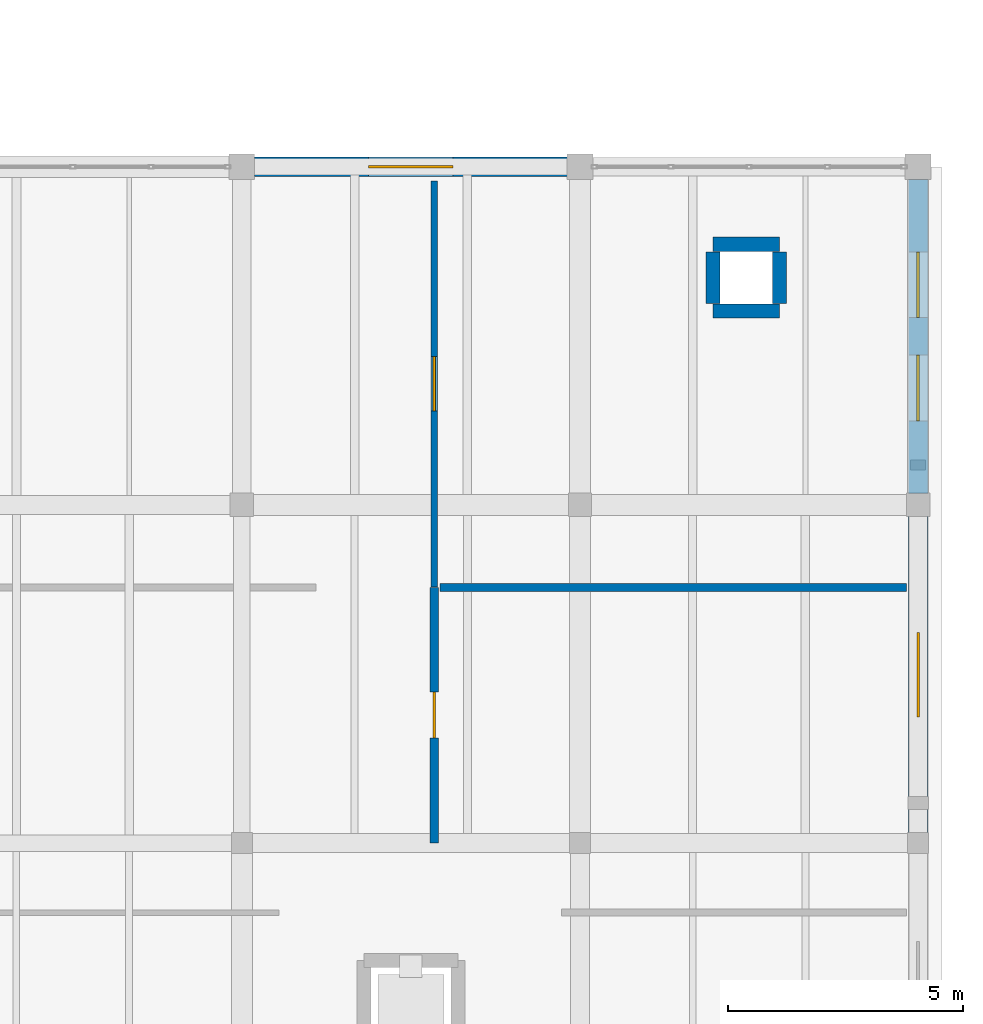
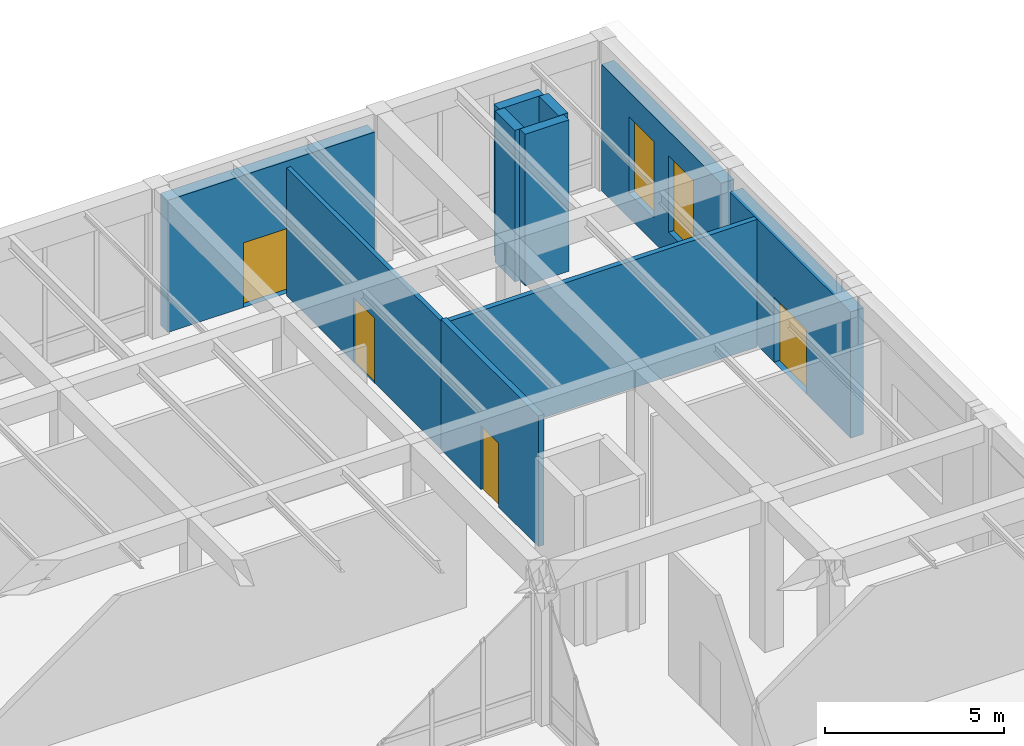
# One storey, part 133 of 169: 10 walls, 4 doors, 2 windows, 6 openings.
"""IFC4 building model written with IfcOpenShell, lengths in metres."""

import ifcopenshell
import ifcopenshell.guid

model = None  # the IFC model being written
_history = None  # IfcOwnerHistory: only IFC2X3 demands one
_inside = {}  # id of a spatial element -> (the spatial element, [elements in it])
_under = {}  # id of a project, library or spatial element -> (it, [spatial elements below it])
_declared = {}  # id of a project -> (the project, [libraries it declares])
_typed = {}  # id of a type object -> (the type object, [elements of that type])
_made_of = {}  # id of a material, layer set ... -> (it, [elements and type objects made of it])


def new_model(schema):
    """Start an empty IFC model of exactly this schema.

    Asked for "IFC4X3", IfcOpenShell would pick the latest addendum, in which some entities
    have other attributes; the version numbers below select the first issue.
    IFC2X3 requires an IfcOwnerHistory on every rooted entity: one is made here for all.
    """
    global model, _history
    if schema == "IFC4X3":
        model = ifcopenshell.file(schema_version=(4, 3, 0, 0))
    else:
        model = ifcopenshell.file(schema=schema)
    _inside.clear()
    _under.clear()
    _declared.clear()
    _typed.clear()
    _made_of.clear()
    _history = None
    if model.schema == "IFC2X3":
        org = make("IfcOrganization", Name="unknown")
        user = make(
            "IfcPersonAndOrganization",
            ThePerson=make("IfcPerson", FamilyName="unknown"),
            TheOrganization=org,
        )
        app = make(
            "IfcApplication",
            ApplicationDeveloper=org,
            Version="unknown",
            ApplicationFullName="unknown",
            ApplicationIdentifier="unknown",
        )
        _history = make(
            "IfcOwnerHistory",
            OwningUser=user,
            OwningApplication=app,
            ChangeAction="ADDED",
            CreationDate=0,
        )
    return model


def make(cls, **values):
    """One entity of the class cls with the attributes given. An attribute that is None is left unset."""
    return model.create_entity(
        cls, **{name: value for name, value in values.items() if value is not None}
    )


def rooted(cls, **values):
    """An entity with a GlobalId (a new one), such as an element, a storey or a relation."""
    return make(cls, GlobalId=ifcopenshell.guid.new(), OwnerHistory=_history, **values)


def si_unit(unit_type, name, prefix=None):
    """IfcSIUnit, for example si_unit("LENGTHUNIT", "METRE", prefix="MILLI")."""
    return make("IfcSIUnit", UnitType=unit_type, Prefix=prefix, Name=name)


def assignment(units):
    """IfcUnitAssignment: the units of a project."""
    return None if units is None else make("IfcUnitAssignment", Units=units)


def point(xyz):
    """IfcCartesianPoint."""
    return None if xyz is None else make("IfcCartesianPoint", Coordinates=xyz)


def direction(xyz):
    """IfcDirection."""
    return None if xyz is None else make("IfcDirection", DirectionRatios=xyz)


def frame(location, z_axis=None, x_axis=None):
    """IfcAxis2Placement3D, a coordinate frame: its origin and axes. An axis left out is left unset."""
    return make(
        "IfcAxis2Placement3D",
        Location=point(location),
        Axis=direction(z_axis),
        RefDirection=direction(x_axis),
    )


def frame_2d(location, x_axis=None):
    """IfcAxis2Placement2D, a coordinate frame in the plane: its origin and x axis."""
    return make(
        "IfcAxis2Placement2D", Location=point(location), RefDirection=direction(x_axis)
    )


def origin():
    """The frame at (0, 0, 0) with its axes left unset."""
    return frame((0.0, 0.0, 0.0))


def place(relative_to, where):
    """IfcLocalPlacement: puts the frame where relative to a parent placement (None: the world)."""
    return make(
        "IfcLocalPlacement", PlacementRelTo=relative_to, RelativePlacement=where
    )


def context(
    kind, dimensions, precision=None, world=None, true_north=None, identifier=None
):
    """IfcGeometricRepresentationContext, for example the 3D "Model" context."""
    return make(
        "IfcGeometricRepresentationContext",
        ContextIdentifier=identifier,
        ContextType=kind,
        CoordinateSpaceDimension=dimensions,
        Precision=precision,
        WorldCoordinateSystem=world,
        TrueNorth=true_north,
    )


def subcontext(parent, identifier, kind, view, scale=None):
    """IfcGeometricRepresentationSubContext, for example "Body" below "Model"."""
    return make(
        "IfcGeometricRepresentationSubContext",
        ContextIdentifier=identifier,
        ContextType=kind,
        ParentContext=parent,
        TargetScale=scale,
        TargetView=view,
    )


def project(units=None, contexts=None):
    """IfcProject with its units and contexts."""
    return rooted(
        "IfcProject",
        Name="project",
        RepresentationContexts=contexts,
        UnitsInContext=assignment(units),
    )


def spatial(cls, under=None, at=None, **own):
    """A site, building, storey or space (cls), placed at a placement, below another one or the project."""
    s = rooted(cls, ObjectPlacement=at, **own)
    if under is not None:
        _under.setdefault(under.id(), (under, []))[1].append(s)
    return s


def profile(cls, at=None, kind="AREA", **sizes):
    """A parametric profile (cls). Its sizes go by their IFC names, for example OverallWidth=200.0."""
    return make(cls, ProfileType=kind, Position=at, **sizes)


def rectangle(**sizes):
    """IfcRectangleProfileDef."""
    return profile("IfcRectangleProfileDef", **sizes)


def extrude(swept, where, along, depth):
    """IfcExtrudedAreaSolid: the profile swept, set in the frame where, extruded along a direction by depth."""
    return make(
        "IfcExtrudedAreaSolid",
        SweptArea=swept,
        Position=where,
        ExtrudedDirection=direction(along),
        Depth=depth,
    )


def shape(context_of_items, identifier, shape_type, items):
    """IfcShapeRepresentation: the items that make up one representation, for example the "Body"."""
    return make(
        "IfcShapeRepresentation",
        ContextOfItems=context_of_items,
        RepresentationIdentifier=identifier,
        RepresentationType=shape_type,
        Items=items,
    )


def material(Name=None, Category=None):
    """IfcMaterial."""
    return make("IfcMaterial", Name=Name, Category=Category)


def layer(
    of_material, thickness, ventilated=None, Name=None, Category=None, Priority=None
):
    """IfcMaterialLayer: one layer of a wall or slab, of a material (None: an air gap)."""
    return make(
        "IfcMaterialLayer",
        Material=of_material,
        LayerThickness=thickness,
        IsVentilated=ventilated,
        Name=Name,
        Category=Category,
        Priority=Priority,
    )


def layer_set(layers, Name=None):
    """IfcMaterialLayerSet."""
    return make("IfcMaterialLayerSet", MaterialLayers=layers, LayerSetName=Name)


def made_of(thing, what):
    """Note that an element or type object is made of a material, layer set ...; save() writes the relation."""
    if what is not None:
        _made_of.setdefault(what.id(), (what, []))[1].append(thing)
    return thing


def type_object(cls, material=None, **own):
    """A type object (cls), such as IfcWallType, which elements share."""
    return made_of(rooted(cls, **own), material)


def element(
    cls,
    number,
    at=None,
    inside=None,
    cuts=None,
    type_object=None,
    material=None,
    context=None,
    identifier="Body",
    shape_type=None,
    held_by="IfcProductDefinitionShape",
    body=None,
    shapes=None,
    **own,
):
    """One element of the class cls, such as IfcWall. Its Tag is "e" and its number.

    at: its placement. inside: the storey or other place that contains it. cuts: it is an
    opening in that element (IfcRelVoidsElement). A single representation is given by context,
    identifier, shape_type and body (its items); several are given by shapes. held_by: the class
    of the entity that holds the representations. save() writes the other relations.
    """
    e = rooted(cls, Tag="e%d" % number, ObjectPlacement=at, **own)
    if body is not None:
        shapes = [shape(context, identifier, shape_type, body)]
    if shapes is not None:
        e.Representation = make(held_by, Representations=shapes)
    if inside is not None:
        _inside.setdefault(inside.id(), (inside, []))[1].append(e)
    if cuts is not None:
        rooted(
            "IfcRelVoidsElement", RelatingBuildingElement=cuts, RelatedOpeningElement=e
        )
    if type_object is not None:
        _typed.setdefault(type_object.id(), (type_object, []))[1].append(e)
    return made_of(e, material)


def fill(opening, filler):
    """IfcRelFillsElement: the door or window that sits in an opening."""
    return rooted(
        "IfcRelFillsElement",
        RelatingOpeningElement=opening,
        RelatedBuildingElement=filler,
    )


def aggregate(whole, parts):
    """IfcRelAggregates: a whole, such as a stair, and the parts it consists of."""
    return rooted("IfcRelAggregates", RelatingObject=whole, RelatedObjects=parts)


def save(model, path):
    """Write the relations noted so far, then the file.

    IfcRelAggregates (storeys below a building ...), IfcRelContainedInSpatialStructure (elements
    in a storey), IfcRelDefinesByType, IfcRelAssociatesMaterial and IfcRelDeclares: one each for
    every whole, place, type object, material and project.
    """
    for whole, parts in _under.values():
        aggregate(whole, parts)
    for where, things in _inside.values():
        rooted(
            "IfcRelContainedInSpatialStructure",
            RelatedElements=things,
            RelatingStructure=where,
        )
    for kind, things in _typed.values():
        rooted("IfcRelDefinesByType", RelatedObjects=things, RelatingType=kind)
    for what, things in _made_of.values():
        rooted("IfcRelAssociatesMaterial", RelatedObjects=things, RelatingMaterial=what)
    for by, libraries in _declared.values():
        rooted("IfcRelDeclares", RelatingContext=by, RelatedDefinitions=libraries)
    model.write(path)


model = new_model("IFC4")

# Units and contexts
model_context = context("Model", 3, precision=1e-05, world=origin(), true_north=direction((0.0, 1.0)))
body_context = subcontext(model_context, "Body", "Model", "MODEL_VIEW")
ifc_project = project(units=[si_unit("LENGTHUNIT", "METRE"), si_unit("AREAUNIT", "SQUARE_METRE"), si_unit("VOLUMEUNIT", "CUBIC_METRE"), si_unit("PLANEANGLEUNIT", "RADIAN"), si_unit("MASSUNIT", "GRAM", prefix="KILO")], contexts=[model_context])

# Site, building, storey
site_placement = place(None, origin())
site = spatial("IfcSite", under=ifc_project, at=site_placement, CompositionType="ELEMENT")
building_placement = place(site_placement, origin())
building = spatial("IfcBuilding", under=site, at=building_placement, Name="Mazaris Harbour Polytechnic", CompositionType="ELEMENT")
storey_placement = place(building_placement, origin())
storey = spatial("IfcBuildingStorey", under=building, at=storey_placement, Name="L00", CompositionType="ELEMENT", Elevation=0.0)

# Wall, opening, door
ifc_material_1 = material(Name="Terracotta Block and Plaster", Category="masonry")
ifc_layer_1 = layer(ifc_material_1, 0.179931640625, Name="Terracotta Block and Plaster")
ifc_layer_set_1 = layer_set([ifc_layer_1], Name="Terracotta Block and Plaster")
wall_type_1 = type_object("IfcWallType", Name="Corridor Fire Partition 180", PredefinedType="PARTITIONING", material=ifc_layer_set_1)
wall_1_placement = place(storey_placement, frame((162.5, 93.60498046875, 0.0), z_axis=(0.0, 0.0, 1.0), x_axis=(0.0, 1.0, 0.0)))
wall_1 = element("IfcWall", 1, at=wall_1_placement, inside=storey, type_object=wall_type_1, Name="V5 L00 Partition 576", PredefinedType="PARTITIONING", context=body_context, shape_type="SweptSolid", body=[
    extrude(rectangle(XDim=5.43896484375, YDim=0.179931640625, at=frame_2d((2.719482421875, 0.0))), origin(), (0.0, 0.0, 1.0), 4.449951171875),
])
opening_1_placement = place(wall_1_placement, frame((2.2294921875, 0.0, 0.0)))
opening_1 = element("IfcOpeningElement", 2, at=opening_1_placement, cuts=wall_1, Name="Opening ID-08L", PredefinedType="OPENING", context=body_context, shape_type="SweptSolid", body=[
    extrude(rectangle(XDim=0.97998046875, YDim=2.179931640625, at=frame_2d((0.489990234375, 1.08984375))), frame((0.0, 0.099853515625, 0.0), z_axis=(0.0, -1.0, 0.0), x_axis=(1.0, 0.0, 0.0)), (0.0, 0.0, 1.0), 0.199951171875),
])
ifc_material_2 = material(Name="Solid Oak Timber", Category="wood")
door_type_1 = type_object("IfcDoorType", Name="Seminar Room Door LH 980x2180", OperationType="SINGLE_SWING_LEFT", PredefinedType="DOOR", material=ifc_material_2)
door_1_placement = place(opening_1_placement, origin())
door_1 = element("IfcDoor", 3, at=door_1_placement, inside=storey, type_object=door_type_1, Name="ID-0277", OperationType="SINGLE_SWING_LEFT", OverallHeight=2.179931640625, OverallWidth=0.97998046875, PredefinedType="DOOR", context=body_context, shape_type="SweptSolid", body=[
    extrude(rectangle(XDim=0.97998046875, YDim=2.179931640625, at=frame_2d((0.489990234375, 1.08984375))), frame((0.0, 0.02490234375, 0.0), z_axis=(0.0, -1.0, 0.0), x_axis=(1.0, 0.0, 0.0)), (0.0, 0.0, 1.0), 0.050048828125),
])
fill(opening_1, door_1)

# Wall
ifc_material_3 = material(Name="Fireboard and Mineral Wool")
ifc_layer_2 = layer(ifc_material_3, 0.1650390625, Name="Fireboard and Mineral Wool")
ifc_layer_set_2 = layer_set([ifc_layer_2], Name="Fireboard and Mineral Wool")
wall_type_2 = type_object("IfcWallType", Name="Laboratory Rated Partition 165", PredefinedType="PARTITIONING", material=ifc_layer_set_2)
wall_2_placement = place(storey_placement, frame((162.6201171875, 99.0439453125, 0.0), z_axis=(0.0, 0.0, 1.0), x_axis=(1.0, 0.0, 0.0)))
element("IfcWall", 4, at=wall_2_placement, inside=storey, type_object=wall_type_2, Name="V5 L00 Partition 577", PredefinedType="PARTITIONING", context=body_context, shape_type="SweptSolid", body=[
    extrude(rectangle(XDim=9.929931640625, YDim=0.1650390625, at=frame_2d((4.96484375, 0.0))), origin(), (0.0, 0.0, 1.0), 4.35009765625),
])

# Wall, opening, door
ifc_material_4 = material(Name="Algerian Buff Limestone and Concrete C35/45", Category="masonry")
ifc_layer_3 = layer(ifc_material_4, 0.409912109375, Name="Algerian Buff Limestone and Concrete C35/45")
ifc_layer_set_3 = layer_set([ifc_layer_3], Name="Algerian Buff Limestone and Concrete C35/45")
wall_type_3 = type_object("IfcWallType", Name="Limestone Rusticated Base Wall 410", PredefinedType="STANDARD", material=ifc_layer_set_3)
wall_3_placement = place(storey_placement, frame((158.6669921875, 108.0, 0.0), z_axis=(0.0, 0.0, 1.0), x_axis=(1.0, 0.0, 0.0)))
wall_3 = element("IfcWall", 5, at=wall_3_placement, inside=storey, type_object=wall_type_3, Name="V5 L00 Exterior Wall 297", PredefinedType="STANDARD", context=body_context, shape_type="SweptSolid", body=[
    extrude(rectangle(XDim=6.666015625, YDim=0.409912109375, at=frame_2d((3.3330078125, 0.0))), origin(), (0.0, 0.0, 1.0), 4.5),
])
opening_2_placement = place(wall_3_placement, frame((2.43310546875, 0.0, 0.0)))
opening_2 = element("IfcOpeningElement", 6, at=opening_2_placement, cuts=wall_3, Name="Opening ED-03", PredefinedType="OPENING", context=body_context, shape_type="SweptSolid", body=[
    extrude(rectangle(XDim=1.800048828125, YDim=2.199951171875, at=frame_2d((0.89990234375, 1.10009765625))), frame((0.0, 0.21484375, 0.0), z_axis=(0.0, -1.0, 0.0), x_axis=(1.0, 0.0, 0.0)), (0.0, 0.0, 1.0), 0.429931640625),
])
ifc_material_5 = material(Name="Anodised Bronze Steel and Laminated Safety Glass", Category="steel")
door_type_2 = type_object("IfcDoorType", Name="Perimeter Final Exit Door 1800x2200", OperationType="DOUBLE_DOOR_SINGLE_SWING", PredefinedType="DOOR", material=ifc_material_5)
door_2_placement = place(opening_2_placement, origin())
door_2 = element("IfcDoor", 7, at=door_2_placement, inside=storey, type_object=door_type_2, Name="EXD-031", OperationType="DOUBLE_DOOR_SINGLE_SWING", OverallHeight=2.199951171875, OverallWidth=1.800048828125, PredefinedType="DOOR", context=body_context, shape_type="SweptSolid", body=[
    extrude(rectangle(XDim=1.800048828125, YDim=2.199951171875, at=frame_2d((0.89990234375, 1.10009765625))), frame((0.0, 0.02490234375, 0.0), z_axis=(0.0, -1.0, 0.0), x_axis=(1.0, 0.0, 0.0)), (0.0, 0.0, 1.0), 0.050048828125),
])
fill(opening_2, door_2)

wall_4_placement = place(storey_placement, frame((172.800048828125, 100.55810546875, 0.0), z_axis=(0.0, 0.0, 1.0), x_axis=(0.0, -1.0, 0.0)))
wall_4 = element("IfcWall", 8, at=wall_4_placement, inside=storey, type_object=wall_type_3, Name="V5 L00 Exterior Wall 309", PredefinedType="STANDARD", context=body_context, shape_type="SweptSolid", body=[
    extrude(rectangle(XDim=6.7412109375, YDim=0.409912109375, at=frame_2d((3.37060546875, 0.0))), origin(), (0.0, 0.0, 1.0), 4.300048828125),
])
opening_3_placement = place(wall_4_placement, frame((2.470458984375, 0.0, 0.0)))
opening_3 = element("IfcOpeningElement", 9, at=opening_3_placement, cuts=wall_4, Name="Opening ED-03", PredefinedType="OPENING", context=body_context, shape_type="SweptSolid", body=[
    extrude(rectangle(XDim=1.800048828125, YDim=2.199951171875, at=frame_2d((0.89990234375, 1.10009765625))), frame((0.0, 0.21484375, 0.0), z_axis=(0.0, -1.0, 0.0), x_axis=(1.0, 0.0, 0.0)), (0.0, 0.0, 1.0), 0.429931640625),
])
door_3_placement = place(opening_3_placement, origin())
door_3 = element("IfcDoor", 10, at=door_3_placement, inside=storey, type_object=door_type_2, Name="EXD-035", OperationType="DOUBLE_DOOR_SINGLE_SWING", OverallHeight=2.199951171875, OverallWidth=1.800048828125, PredefinedType="DOOR", context=body_context, shape_type="SweptSolid", body=[
    extrude(rectangle(XDim=1.800048828125, YDim=2.199951171875, at=frame_2d((0.89990234375, 1.10009765625))), frame((0.0, 0.02490234375, 0.0), z_axis=(0.0, -1.0, 0.0), x_axis=(1.0, 0.0, 0.0)), (0.0, 0.0, 1.0), 0.050048828125),
])
fill(opening_3, door_3)

# Wall, openings, windows
wall_5_placement = place(storey_placement, frame((172.800048828125, 107.73291015625, 0.0), z_axis=(0.0, 0.0, 1.0), x_axis=(0.0, -1.0, 0.0)))
wall_5 = element("IfcWall", 11, at=wall_5_placement, inside=storey, type_object=wall_type_3, Name="V5 L00 Exterior Wall 310", PredefinedType="STANDARD", context=body_context, shape_type="SweptSolid", body=[
    extrude(rectangle(XDim=6.69091796875, YDim=0.409912109375, at=frame_2d((3.345458984375, 0.0))), origin(), (0.0, 0.0, 1.0), 4.300048828125),
])
opening_4_placement = place(wall_5_placement, frame((1.54541015625, 0.0, 0.85009765625)))
opening_4 = element("IfcOpeningElement", 12, at=opening_4_placement, cuts=wall_5, Name="Opening WN-01", PredefinedType="OPENING", context=body_context, shape_type="SweptSolid", body=[
    extrude(rectangle(XDim=1.39990234375, YDim=2.60009765625, at=frame_2d((0.699951171875, 1.300048828125))), frame((0.0, 0.21484375, 0.0), z_axis=(0.0, -1.0, 0.0), x_axis=(1.0, 0.0, 0.0)), (0.0, 0.0, 1.0), 0.429931640625),
])
opening_5_placement = place(wall_5_placement, frame((3.74560546875, 0.0, 0.85009765625)))
opening_5 = element("IfcOpeningElement", 13, at=opening_5_placement, cuts=wall_5, Name="Opening WN-01", PredefinedType="OPENING", context=body_context, shape_type="SweptSolid", body=[
    extrude(rectangle(XDim=1.39990234375, YDim=2.60009765625, at=frame_2d((0.699951171875, 1.300048828125))), frame((0.0, 0.21484375, 0.0), z_axis=(0.0, -1.0, 0.0), x_axis=(1.0, 0.0, 0.0)), (0.0, 0.0, 1.0), 0.429931640625),
])
ifc_material_6 = material(Name="Thermally Broken Bronze Aluminium and Low-E Glass", Category="aluminium")
window_type = type_object("IfcWindowType", Name="Neoclassical Tall Window 1400x2600", PartitioningType="DOUBLE_PANEL_VERTICAL", PredefinedType="WINDOW", material=ifc_material_6)
window_1_placement = place(opening_4_placement, origin())
window_1 = element("IfcWindow", 14, at=window_1_placement, inside=storey, type_object=window_type, Name="WN-0362", OverallHeight=2.60009765625, OverallWidth=1.39990234375, PartitioningType="DOUBLE_PANEL_VERTICAL", PredefinedType="WINDOW", context=body_context, shape_type="SweptSolid", body=[
    extrude(rectangle(XDim=1.39990234375, YDim=2.60009765625, at=frame_2d((0.699951171875, 1.300048828125))), frame((0.0, 0.030029296875, 0.0), z_axis=(0.0, -1.0, 0.0), x_axis=(1.0, 0.0, 0.0)), (0.0, 0.0, 1.0), 0.06005859375),
])
fill(opening_4, window_1)
window_2_placement = place(opening_5_placement, origin())
window_2 = element("IfcWindow", 15, at=window_2_placement, inside=storey, type_object=window_type, Name="WN-0363", OverallHeight=2.60009765625, OverallWidth=1.39990234375, PartitioningType="DOUBLE_PANEL_VERTICAL", PredefinedType="WINDOW", context=body_context, shape_type="SweptSolid", body=[
    extrude(rectangle(XDim=1.39990234375, YDim=2.60009765625, at=frame_2d((0.699951171875, 1.300048828125))), frame((0.0, 0.030029296875, 0.0), z_axis=(0.0, -1.0, 0.0), x_axis=(1.0, 0.0, 0.0)), (0.0, 0.0, 1.0), 0.06005859375),
])
fill(opening_5, window_2)

# Walls
ifc_material_7 = material(Name="Concrete C40/50", Category="concrete")
ifc_layer_4 = layer(ifc_material_7, 0.300048828125, Name="Concrete C40/50")
ifc_layer_set_4 = layer_set([ifc_layer_4], Name="Concrete C40/50")
wall_type_4 = type_object("IfcWallType", Name="RC Lift Shaft Wall 300", PredefinedType="SHEAR", material=ifc_layer_set_4)
wall_6_placement = place(storey_placement, frame((168.429931640625, 104.929931640625, 0.0), z_axis=(0.0, 0.0, 1.0), x_axis=(1.0, 0.0, 0.0)))
element("IfcWall", 16, at=wall_6_placement, inside=storey, type_object=wall_type_4, Name="V5 L00 Riser Enclosure Wall 2-1", PredefinedType="SHEAR", context=body_context, shape_type="SweptSolid", body=[
    extrude(rectangle(XDim=1.420166015625, YDim=0.300048828125, at=frame_2d((0.7099609375, 0.0))), origin(), (0.0, 0.0, 1.0), 5.159912109375),
])
wall_7_placement = place(storey_placement, frame((169.85009765625, 105.090087890625, 0.0), z_axis=(0.0, 0.0, 1.0), x_axis=(0.0, 1.0, 0.0)))
element("IfcWall", 17, at=wall_7_placement, inside=storey, type_object=wall_type_4, Name="V5 L00 Riser Enclosure Wall 2-2", PredefinedType="SHEAR", context=body_context, shape_type="SweptSolid", body=[
    extrude(rectangle(XDim=1.099853515625, YDim=0.300048828125, at=frame_2d((0.5498046875, 0.0))), origin(), (0.0, 0.0, 1.0), 5.159912109375),
])
wall_8_placement = place(storey_placement, frame((169.85009765625, 106.35009765625, 0.0), z_axis=(0.0, 0.0, 1.0), x_axis=(-1.0, 0.0, 0.0)))
element("IfcWall", 18, at=wall_8_placement, inside=storey, type_object=wall_type_4, Name="V5 L00 Riser Enclosure Wall 2-3", PredefinedType="SHEAR", context=body_context, shape_type="SweptSolid", body=[
    extrude(rectangle(XDim=1.420166015625, YDim=0.300048828125, at=frame_2d((0.7099609375, 0.0))), origin(), (0.0, 0.0, 1.0), 5.159912109375),
])
wall_9_placement = place(storey_placement, frame((168.429931640625, 106.18994140625, 0.0), z_axis=(0.0, 0.0, 1.0), x_axis=(0.0, -1.0, 0.0)))
element("IfcWall", 19, at=wall_9_placement, inside=storey, type_object=wall_type_4, Name="V5 L00 Riser Enclosure Wall 2-4", PredefinedType="SHEAR", context=body_context, shape_type="SweptSolid", body=[
    extrude(rectangle(XDim=1.099853515625, YDim=0.300048828125, at=frame_2d((0.5498046875, 0.0))), origin(), (0.0, 0.0, 1.0), 5.159912109375),
])

# Wall, opening, door
ifc_material_8 = material(Name="Gypsum Board and Mineral Wool")
ifc_layer_5 = layer(ifc_material_8, 0.135009765625, Name="Gypsum Board and Mineral Wool")
ifc_layer_set_5 = layer_set([ifc_layer_5], Name="Gypsum Board and Mineral Wool")
wall_type_5 = type_object("IfcWallType", Name="Studio Partition Wall 135", PredefinedType="PARTITIONING", material=ifc_layer_set_5)
wall_10_placement = place(storey_placement, frame((162.5, 99.049072265625, 0.0), z_axis=(0.0, 0.0, 1.0), x_axis=(0.0, 1.0, 0.0)))
wall_10 = element("IfcWall", 20, at=wall_10_placement, inside=storey, type_object=wall_type_5, Name="V5 L00 Partition 578", PredefinedType="PARTITIONING", context=body_context, shape_type="SweptSolid", body=[
    extrude(rectangle(XDim=8.65185546875, YDim=0.135009765625, at=frame_2d((4.325927734375, 0.0))), origin(), (0.0, 0.0, 1.0), 4.35009765625),
])
opening_6_placement = place(wall_10_placement, frame((3.74609375, 0.0, 0.0)))
opening_6 = element("IfcOpeningElement", 21, at=opening_6_placement, cuts=wall_10, Name="Opening ID-03R", PredefinedType="OPENING", context=body_context, shape_type="SweptSolid", body=[
    extrude(rectangle(XDim=1.159912109375, YDim=2.199951171875, at=frame_2d((0.580078125, 1.10009765625))), frame((0.0, 0.077392578125, 0.0), z_axis=(0.0, -1.0, 0.0), x_axis=(1.0, 0.0, 0.0)), (0.0, 0.0, 1.0), 0.155029296875),
])
ifc_material_9 = material(Name="Glulam Timber and Acoustic Glass", Category="wood")
door_type_3 = type_object("IfcDoorType", Name="Design Studio Door RH 1160x2200", OperationType="SINGLE_SWING_RIGHT", PredefinedType="DOOR", material=ifc_material_9)
door_4_placement = place(opening_6_placement, origin())
door_4 = element("IfcDoor", 22, at=door_4_placement, inside=storey, type_object=door_type_3, Name="ID-0278", OperationType="SINGLE_SWING_RIGHT", OverallHeight=2.199951171875, OverallWidth=1.159912109375, PredefinedType="DOOR", context=body_context, shape_type="SweptSolid", body=[
    extrude(rectangle(XDim=1.159912109375, YDim=2.199951171875, at=frame_2d((0.580078125, 1.10009765625))), frame((0.0, 0.02490234375, 0.0), z_axis=(0.0, -1.0, 0.0), x_axis=(1.0, 0.0, 0.0)), (0.0, 0.0, 1.0), 0.050048828125),
])
fill(opening_6, door_4)

save(model, "model.ifc")
